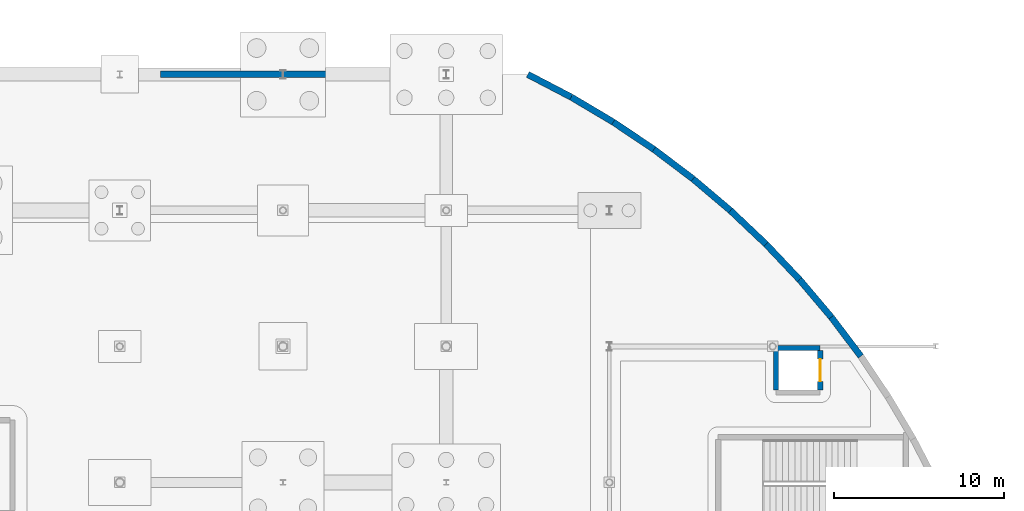
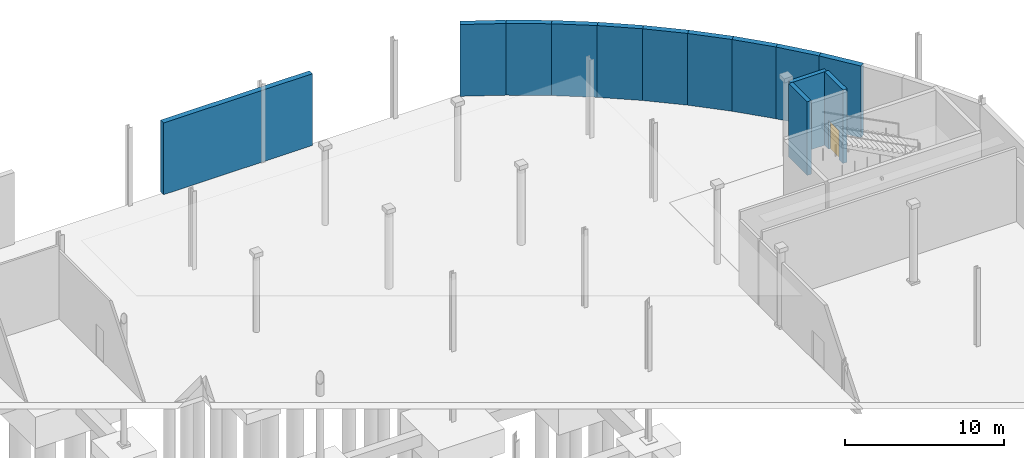
# One storey, part 88 of 124: 13 walls, 1 door, 1 opening.
"""IFC4 building model written with IfcOpenShell, lengths in metres."""

from ifc_helpers import new_model, si_unit, direction, frame, frame_2d, origin, place, context, subcontext, project, spatial, rectangle, extrude, material, layer, layer_set, type_object, element, fill, save


model = new_model("IFC4")

# Units and contexts
model_context = context("Model", 3, precision=1e-05, world=origin(), true_north=direction((0.0, 1.0)))
body_context = subcontext(model_context, "Body", "Model", "MODEL_VIEW")
ifc_project = project(units=[si_unit("LENGTHUNIT", "METRE"), si_unit("AREAUNIT", "SQUARE_METRE"), si_unit("VOLUMEUNIT", "CUBIC_METRE"), si_unit("PLANEANGLEUNIT", "RADIAN"), si_unit("MASSUNIT", "GRAM", prefix="KILO")], contexts=[model_context])

# Site, building, storey
site_placement = place(None, origin())
site = spatial("IfcSite", under=ifc_project, at=site_placement, CompositionType="ELEMENT")
building_placement = place(site_placement, origin())
building = spatial("IfcBuilding", under=site, at=building_placement, Name="Danafjord Basin Convention Centre", CompositionType="ELEMENT")
storey_placement = place(building_placement, origin())
storey = spatial("IfcBuildingStorey", under=building, at=storey_placement, Name="L00", CompositionType="ELEMENT", Elevation=0.0)

# Wall
ifc_material_1 = material(Name="Concrete C40/50", Category="concrete")
ifc_layer_1 = layer(ifc_material_1, 0.300048828125)
ifc_layer_set_1 = layer_set([ifc_layer_1], Name="Concrete C40/50")
wall_type_1 = type_object("IfcWallType", Name="WALL-CW-CORE300", PredefinedType="SHEAR", material=ifc_layer_set_1)
wall_1_placement = place(storey_placement, frame((194.800048828125, 127.89990234375, 0.0), z_axis=(0.0, 0.0, 1.0), x_axis=(-1.0, 0.0, 0.0)))
element("IfcWall", 1, at=wall_1_placement, inside=storey, type_object=wall_type_1, Name="Lift LF-P05 shaft shear wall", PredefinedType="SHEAR", context=body_context, shape_type="SweptSolid", body=[
    extrude(rectangle(XDim=2.60009765625, YDim=0.300048828125, at=frame_2d((1.300048828125, 0.0))), origin(), (0.0, 0.0, 1.0), 5.639892578125),
])

# Wall, opening, door
wall_2_placement = place(storey_placement, frame((194.800048828125, 125.43505859375, 0.0), z_axis=(0.0, 0.0, 1.0), x_axis=(0.0, 1.0, 0.0)))
wall_2 = element("IfcWall", 2, at=wall_2_placement, inside=storey, type_object=wall_type_1, Name="Lift LF-P05 shaft shear wall", PredefinedType="SHEAR", context=body_context, shape_type="SweptSolid", body=[
    extrude(rectangle(XDim=2.329833984375, YDim=0.300048828125, at=frame_2d((1.1650390625, 0.0))), origin(), (0.0, 0.0, 1.0), 5.639892578125),
])
opening_placement = place(wall_2_placement, frame((0.514892578125, 0.0, 0.0)))
opening = element("IfcOpeningElement", 3, at=opening_placement, cuts=wall_2, Name="Opening LD-P02", PredefinedType="OPENING", context=body_context, shape_type="SweptSolid", body=[
    extrude(rectangle(XDim=1.300048828125, YDim=2.219970703125, at=frame_2d((0.64990234375, 1.10986328125))), frame((0.0, 0.159912109375, 0.0), z_axis=(0.0, -1.0, 0.0), x_axis=(1.0, 0.0, 0.0)), (0.0, 0.0, 1.0), 0.320068359375),
])
ifc_material_2 = material(Name="Brushed stainless steel and acoustic laminated glass", Category="steel")
door_type = type_object("IfcDoorType", Name="DOOR-LD-P02", OperationType="DOUBLE_DOOR_SLIDING", PredefinedType="DOOR", material=ifc_material_2)
door_placement = place(opening_placement, origin())
door = element("IfcDoor", 4, at=door_placement, inside=storey, type_object=door_type, Name="Lift LF-P05 L00 Landing Door", OperationType="DOUBLE_DOOR_SLIDING", OverallHeight=2.219970703125, OverallWidth=1.300048828125, PredefinedType="DOOR", context=body_context, shape_type="SweptSolid", body=[
    extrude(rectangle(XDim=1.300048828125, YDim=2.219970703125, at=frame_2d((0.64990234375, 1.10986328125))), frame((0.0, 0.02490234375, 0.0), z_axis=(0.0, -1.0, 0.0), x_axis=(1.0, 0.0, 0.0)), (0.0, 0.0, 1.0), 0.050048828125),
])
fill(opening, door)

# Walls
wall_3_placement = place(storey_placement, frame((192.199951171875, 127.764892578125, 0.0), z_axis=(0.0, 0.0, 1.0), x_axis=(0.0, -1.0, 0.0)))
element("IfcWall", 5, at=wall_3_placement, inside=storey, type_object=wall_type_1, Name="Lift LF-P05 shaft shear wall", PredefinedType="SHEAR", context=body_context, shape_type="SweptSolid", body=[
    extrude(rectangle(XDim=2.329833984375, YDim=0.300048828125, at=frame_2d((1.1650390625, 0.0))), origin(), (0.0, 0.0, 1.0), 5.639892578125),
])
ifc_material_3 = material(Name="Precast concrete C45/55", Category="concrete")
ifc_layer_2 = layer(ifc_material_3, 0.3798828125)
ifc_layer_set_2 = layer_set([ifc_layer_2], Name="Precast concrete C45/55")
wall_type_2 = type_object("IfcWallType", Name="WALL-EW-PC380", PredefinedType="SOLIDWALL", material=ifc_layer_set_2)
wall_4_placement = place(storey_placement, frame((197.18994140625, 127.423095703125, 0.0), z_axis=(0.0, 0.0, 1.0), x_axis=(-0.602763527755, 0.797919876685, 0.0)))
element("IfcWall", 6, at=wall_4_placement, inside=storey, type_object=wall_type_2, Name="L00 plenary drum precast facet wall", PredefinedType="SOLIDWALL", context=body_context, shape_type="SweptSolid", body=[
    extrude(rectangle(XDim=2.8798828125, YDim=0.3798828125, at=frame_2d((1.43994140625, 0.0))), origin(), (0.0, 0.0, 1.0), 5.5),
])
wall_5_placement = place(storey_placement, frame((195.4541015625, 129.720947265625, 0.0), z_axis=(0.0, 0.0, 1.0), x_axis=(-0.645858681217, 0.763456982349, 0.0)))
element("IfcWall", 7, at=wall_5_placement, inside=storey, type_object=wall_type_2, Name="L00 plenary drum precast facet wall", PredefinedType="SOLIDWALL", context=body_context, shape_type="SweptSolid", body=[
    extrude(rectangle(XDim=2.881591796875, YDim=0.3798828125, at=frame_2d((1.44091796875, 0.0))), origin(), (0.0, 0.0, 1.0), 5.5),
])
for number, where, z_axis, x_axis, name in (
    (8, (193.593017578125, 131.9208984375, 0.0), (0.0, 0.0, 1.0), (-0.687387219995, 0.72629113294, 0.0), "L00 plenary drum precast facet wall"),
    (9, (191.613037109375, 134.012939453125, 0.0), (0.0, 0.0, 1.0), (-0.72629113294, 0.687387219995, 0.0), "L00 plenary drum precast facet wall"),
):
    element("IfcWall", number, at=place(storey_placement, frame(where, z_axis=z_axis, x_axis=x_axis)), inside=storey, type_object=wall_type_2, Name=name, PredefinedType="SOLIDWALL", context=body_context, shape_type="SweptSolid", body=[
        extrude(rectangle(XDim=2.88037109375, YDim=0.3798828125, at=frame_2d((1.440185546875, 0.0))), origin(), (0.0, 0.0, 1.0), 5.5),
    ])
wall_6_placement = place(storey_placement, frame((189.52099609375, 135.992919921875, 0.0), z_axis=(0.0, 0.0, 1.0), x_axis=(-0.763456982349, 0.645858681217, 0.0)))
element("IfcWall", 10, at=wall_6_placement, inside=storey, type_object=wall_type_2, Name="L00 plenary drum precast facet wall", PredefinedType="SOLIDWALL", context=body_context, shape_type="SweptSolid", body=[
    extrude(rectangle(XDim=2.881591796875, YDim=0.3798828125, at=frame_2d((1.44091796875, 0.0))), origin(), (0.0, 0.0, 1.0), 5.5),
])
wall_7_placement = place(storey_placement, frame((187.321044921875, 137.85400390625, 0.0), z_axis=(0.0, 0.0, 1.0), x_axis=(-0.797909905191, 0.602776727485, 0.0)))
element("IfcWall", 11, at=wall_7_placement, inside=storey, type_object=wall_type_2, Name="L00 plenary drum precast facet wall", PredefinedType="SOLIDWALL", context=body_context, shape_type="SweptSolid", body=[
    extrude(rectangle(XDim=2.880126953125, YDim=0.3798828125, at=frame_2d((1.43994140625, 0.0))), origin(), (0.0, 0.0, 1.0), 5.5),
])
wall_8_placement = place(storey_placement, frame((185.02294921875, 139.590087890625, 0.0), z_axis=(0.0, 0.0, 1.0), x_axis=(-0.830063694442, 0.557668596184, 0.0)))
element("IfcWall", 12, at=wall_8_placement, inside=storey, type_object=wall_type_2, Name="L00 plenary drum precast facet wall", PredefinedType="SOLIDWALL", context=body_context, shape_type="SweptSolid", body=[
    extrude(rectangle(XDim=2.881591796875, YDim=0.3798828125, at=frame_2d((1.44091796875, 0.0))), origin(), (0.0, 0.0, 1.0), 5.5),
])
wall_9_placement = place(storey_placement, frame((182.631103515625, 141.197021484375, 0.0), z_axis=(0.0, 0.0, 1.0), x_axis=(-0.859824515536, 0.510589661552, 0.0)))
element("IfcWall", 13, at=wall_9_placement, inside=storey, type_object=wall_type_2, Name="L00 plenary drum precast facet wall", PredefinedType="SOLIDWALL", context=body_context, shape_type="SweptSolid", body=[
    extrude(rectangle(XDim=2.880859375, YDim=0.3798828125, at=frame_2d((1.4404296875, 0.0))), origin(), (0.0, 0.0, 1.0), 5.5),
])
wall_10_placement = place(storey_placement, frame((180.154052734375, 142.66796875, 0.0), z_axis=(0.0, 0.0, 1.0), x_axis=(-0.886651333465, 0.462438550367, 0.0)))
element("IfcWall", 14, at=wall_10_placement, inside=storey, type_object=wall_type_2, Name="L00 plenary drum precast facet wall", PredefinedType="SOLIDWALL", context=body_context, shape_type="SweptSolid", body=[
    extrude(rectangle(XDim=2.88037109375, YDim=0.3798828125, at=frame_2d((1.440185546875, 0.0))), origin(), (0.0, 0.0, 1.0), 5.5),
])
wall_11_placement = place(storey_placement, frame((166.800048828125, 144.0, 0.0), z_axis=(0.0, 0.0, 1.0), x_axis=(-1.0, 0.0, 0.0)))
element("IfcWall", 15, at=wall_11_placement, inside=storey, type_object=wall_type_2, Name="L00 plenary drum precast facet wall", PredefinedType="SOLIDWALL", context=body_context, shape_type="SweptSolid", body=[
    extrude(rectangle(XDim=10.800048828125, YDim=0.3798828125, at=frame_2d((5.39990234375, 0.0))), origin(), (0.0, 0.0, 1.0), 5.5),
])

save(model, "model.ifc")
